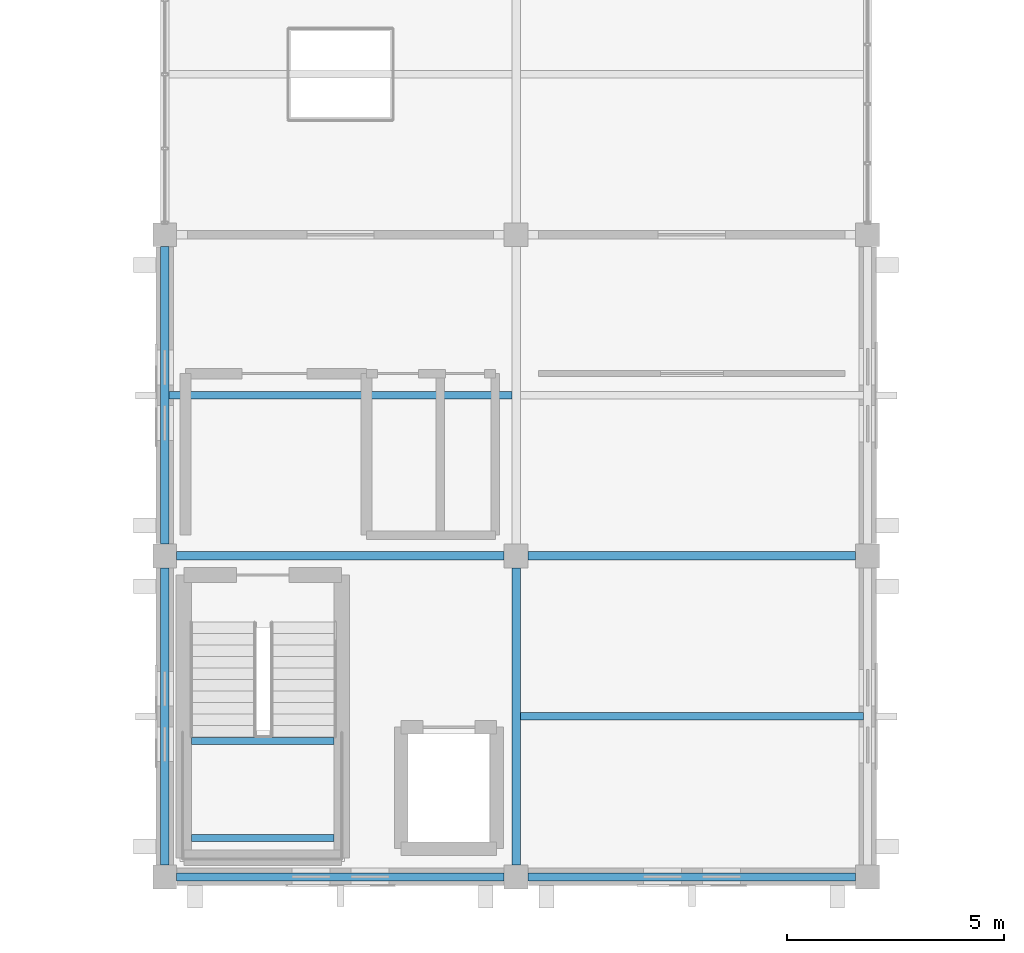
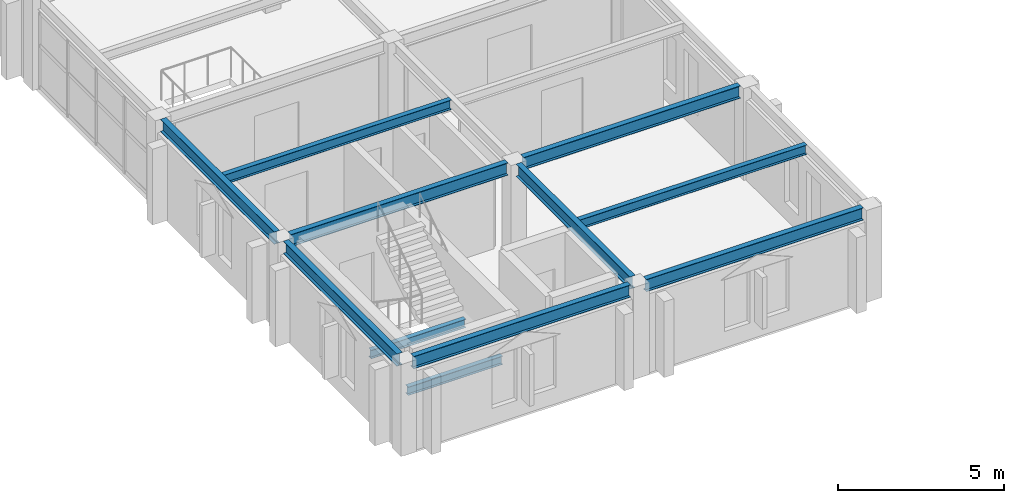
# One storey, part 7 of 93: 11 beams.
"""IFC4 building model written with IfcOpenShell, lengths in metres."""

import ifcopenshell
import ifcopenshell.guid

model = None  # the IFC model being written
_history = None  # IfcOwnerHistory: only IFC2X3 demands one
_inside = {}  # id of a spatial element -> (the spatial element, [elements in it])
_under = {}  # id of a project, library or spatial element -> (it, [spatial elements below it])
_declared = {}  # id of a project -> (the project, [libraries it declares])
_typed = {}  # id of a type object -> (the type object, [elements of that type])
_made_of = {}  # id of a material, layer set ... -> (it, [elements and type objects made of it])


def new_model(schema):
    """Start an empty IFC model of exactly this schema.

    Asked for "IFC4X3", IfcOpenShell would pick the latest addendum, in which some entities
    have other attributes; the version numbers below select the first issue.
    IFC2X3 requires an IfcOwnerHistory on every rooted entity: one is made here for all.
    """
    global model, _history
    if schema == "IFC4X3":
        model = ifcopenshell.file(schema_version=(4, 3, 0, 0))
    else:
        model = ifcopenshell.file(schema=schema)
    _inside.clear()
    _under.clear()
    _declared.clear()
    _typed.clear()
    _made_of.clear()
    _history = None
    if model.schema == "IFC2X3":
        org = make("IfcOrganization", Name="unknown")
        user = make(
            "IfcPersonAndOrganization",
            ThePerson=make("IfcPerson", FamilyName="unknown"),
            TheOrganization=org,
        )
        app = make(
            "IfcApplication",
            ApplicationDeveloper=org,
            Version="unknown",
            ApplicationFullName="unknown",
            ApplicationIdentifier="unknown",
        )
        _history = make(
            "IfcOwnerHistory",
            OwningUser=user,
            OwningApplication=app,
            ChangeAction="ADDED",
            CreationDate=0,
        )
    return model


def make(cls, **values):
    """One entity of the class cls with the attributes given. An attribute that is None is left unset."""
    return model.create_entity(
        cls, **{name: value for name, value in values.items() if value is not None}
    )


def rooted(cls, **values):
    """An entity with a GlobalId (a new one), such as an element, a storey or a relation."""
    return make(cls, GlobalId=ifcopenshell.guid.new(), OwnerHistory=_history, **values)


def si_unit(unit_type, name, prefix=None):
    """IfcSIUnit, for example si_unit("LENGTHUNIT", "METRE", prefix="MILLI")."""
    return make("IfcSIUnit", UnitType=unit_type, Prefix=prefix, Name=name)


def assignment(units):
    """IfcUnitAssignment: the units of a project."""
    return None if units is None else make("IfcUnitAssignment", Units=units)


def point(xyz):
    """IfcCartesianPoint."""
    return None if xyz is None else make("IfcCartesianPoint", Coordinates=xyz)


def direction(xyz):
    """IfcDirection."""
    return None if xyz is None else make("IfcDirection", DirectionRatios=xyz)


def frame(location, z_axis=None, x_axis=None):
    """IfcAxis2Placement3D, a coordinate frame: its origin and axes. An axis left out is left unset."""
    return make(
        "IfcAxis2Placement3D",
        Location=point(location),
        Axis=direction(z_axis),
        RefDirection=direction(x_axis),
    )


def frame_2d(location, x_axis=None):
    """IfcAxis2Placement2D, a coordinate frame in the plane: its origin and x axis."""
    return make(
        "IfcAxis2Placement2D", Location=point(location), RefDirection=direction(x_axis)
    )


def origin():
    """The frame at (0, 0, 0) with its axes left unset."""
    return frame((0.0, 0.0, 0.0))


def origin_2d():
    """The frame at (0, 0) in the plane with its x axis left unset."""
    return frame_2d((0.0, 0.0))


def place(relative_to, where):
    """IfcLocalPlacement: puts the frame where relative to a parent placement (None: the world)."""
    return make(
        "IfcLocalPlacement", PlacementRelTo=relative_to, RelativePlacement=where
    )


def context(
    kind, dimensions, precision=None, world=None, true_north=None, identifier=None
):
    """IfcGeometricRepresentationContext, for example the 3D "Model" context."""
    return make(
        "IfcGeometricRepresentationContext",
        ContextIdentifier=identifier,
        ContextType=kind,
        CoordinateSpaceDimension=dimensions,
        Precision=precision,
        WorldCoordinateSystem=world,
        TrueNorth=true_north,
    )


def subcontext(parent, identifier, kind, view, scale=None):
    """IfcGeometricRepresentationSubContext, for example "Body" below "Model"."""
    return make(
        "IfcGeometricRepresentationSubContext",
        ContextIdentifier=identifier,
        ContextType=kind,
        ParentContext=parent,
        TargetScale=scale,
        TargetView=view,
    )


def project(units=None, contexts=None):
    """IfcProject with its units and contexts."""
    return rooted(
        "IfcProject",
        Name="project",
        RepresentationContexts=contexts,
        UnitsInContext=assignment(units),
    )


def spatial(cls, under=None, at=None, **own):
    """A site, building, storey or space (cls), placed at a placement, below another one or the project."""
    s = rooted(cls, ObjectPlacement=at, **own)
    if under is not None:
        _under.setdefault(under.id(), (under, []))[1].append(s)
    return s


def profile(cls, at=None, kind="AREA", **sizes):
    """A parametric profile (cls). Its sizes go by their IFC names, for example OverallWidth=200.0."""
    return make(cls, ProfileType=kind, Position=at, **sizes)


def i_section(**sizes):
    """IfcIShapeProfileDef."""
    return profile("IfcIShapeProfileDef", **sizes)


def extrude(swept, where, along, depth):
    """IfcExtrudedAreaSolid: the profile swept, set in the frame where, extruded along a direction by depth."""
    return make(
        "IfcExtrudedAreaSolid",
        SweptArea=swept,
        Position=where,
        ExtrudedDirection=direction(along),
        Depth=depth,
    )


def shape(context_of_items, identifier, shape_type, items):
    """IfcShapeRepresentation: the items that make up one representation, for example the "Body"."""
    return make(
        "IfcShapeRepresentation",
        ContextOfItems=context_of_items,
        RepresentationIdentifier=identifier,
        RepresentationType=shape_type,
        Items=items,
    )


def material(Name=None, Category=None):
    """IfcMaterial."""
    return make("IfcMaterial", Name=Name, Category=Category)


def material_profile(
    of_material, cross_section, Name=None, Category=None, Priority=None
):
    """IfcMaterialProfile: a cross section and its material."""
    return make(
        "IfcMaterialProfile",
        Name=Name,
        Material=of_material,
        Profile=cross_section,
        Priority=Priority,
        Category=Category,
    )


def profile_set(profiles, Name=None, composite=None):
    """IfcMaterialProfileSet."""
    return make(
        "IfcMaterialProfileSet",
        Name=Name,
        MaterialProfiles=profiles,
        CompositeProfile=composite,
    )


def made_of(thing, what):
    """Note that an element or type object is made of a material, layer set ...; save() writes the relation."""
    if what is not None:
        _made_of.setdefault(what.id(), (what, []))[1].append(thing)
    return thing


def type_object(cls, material=None, **own):
    """A type object (cls), such as IfcWallType, which elements share."""
    return made_of(rooted(cls, **own), material)


def element(
    cls,
    number,
    at=None,
    inside=None,
    cuts=None,
    type_object=None,
    material=None,
    context=None,
    identifier="Body",
    shape_type=None,
    held_by="IfcProductDefinitionShape",
    body=None,
    shapes=None,
    **own,
):
    """One element of the class cls, such as IfcWall. Its Tag is "e" and its number.

    at: its placement. inside: the storey or other place that contains it. cuts: it is an
    opening in that element (IfcRelVoidsElement). A single representation is given by context,
    identifier, shape_type and body (its items); several are given by shapes. held_by: the class
    of the entity that holds the representations. save() writes the other relations.
    """
    e = rooted(cls, Tag="e%d" % number, ObjectPlacement=at, **own)
    if body is not None:
        shapes = [shape(context, identifier, shape_type, body)]
    if shapes is not None:
        e.Representation = make(held_by, Representations=shapes)
    if inside is not None:
        _inside.setdefault(inside.id(), (inside, []))[1].append(e)
    if cuts is not None:
        rooted(
            "IfcRelVoidsElement", RelatingBuildingElement=cuts, RelatedOpeningElement=e
        )
    if type_object is not None:
        _typed.setdefault(type_object.id(), (type_object, []))[1].append(e)
    return made_of(e, material)


def aggregate(whole, parts):
    """IfcRelAggregates: a whole, such as a stair, and the parts it consists of."""
    return rooted("IfcRelAggregates", RelatingObject=whole, RelatedObjects=parts)


def save(model, path):
    """Write the relations noted so far, then the file.

    IfcRelAggregates (storeys below a building ...), IfcRelContainedInSpatialStructure (elements
    in a storey), IfcRelDefinesByType, IfcRelAssociatesMaterial and IfcRelDeclares: one each for
    every whole, place, type object, material and project.
    """
    for whole, parts in _under.values():
        aggregate(whole, parts)
    for where, things in _inside.values():
        rooted(
            "IfcRelContainedInSpatialStructure",
            RelatedElements=things,
            RelatingStructure=where,
        )
    for kind, things in _typed.values():
        rooted("IfcRelDefinesByType", RelatedObjects=things, RelatingType=kind)
    for what, things in _made_of.values():
        rooted("IfcRelAssociatesMaterial", RelatedObjects=things, RelatingMaterial=what)
    for by, libraries in _declared.values():
        rooted("IfcRelDeclares", RelatingContext=by, RelatedDefinitions=libraries)
    model.write(path)


model = new_model("IFC4")

# Units and contexts
model_context = context("Model", 3, precision=1e-05, world=origin(), true_north=direction((0.0, 1.0)))
body_context = subcontext(model_context, "Body", "Model", "MODEL_VIEW")
ifc_project = project(units=[si_unit("LENGTHUNIT", "METRE"), si_unit("AREAUNIT", "SQUARE_METRE"), si_unit("VOLUMEUNIT", "CUBIC_METRE"), si_unit("PLANEANGLEUNIT", "RADIAN"), si_unit("MASSUNIT", "GRAM", prefix="KILO")], contexts=[model_context])

# Site, building, storey
site_placement = place(None, origin())
site = spatial("IfcSite", under=ifc_project, at=site_placement, CompositionType="ELEMENT")
building_placement = place(site_placement, origin())
building = spatial("IfcBuilding", under=site, at=building_placement, Name="Cimatlan Art Gallery", CompositionType="ELEMENT")
storey_placement = place(building_placement, frame((0.0, 0.0, 13.800048828125)))
storey = spatial("IfcBuildingStorey", under=building, at=storey_placement, Name="L03", CompositionType="ELEMENT", Elevation=13.800048828125)

# Beams
ifc_material = material(Name="Steel ASTM A992 Grade 50", Category="steel")
ifc_material_profile_1 = material_profile(ifc_material, i_section(OverallWidth=0.1650390625, OverallDepth=0.31005859375, WebThickness=0.005859375, FlangeThickness=0.009765625, at=origin_2d()), Name="W12X26")
ifc_profile_set_1 = profile_set([ifc_material_profile_1], Name="Steel ASTM A992 Grade 50")
beam_type_1 = type_object("IfcBeamType", Name="BM-STL-W12X26", PredefinedType="JOIST", material=ifc_profile_set_1)
for number, where, z_axis, x_axis, name in (
    (1, (35.014892578125, 24.800048828125, 1.425048828125), (1.0, 0.0, 0.0), (0.0, 1.0, 0.0), "BM-STR-C2-L03-LH1"),
    (2, (35.014892578125, 27.030029296875, 1.425048828125), (1.0, 0.0, 0.0), (0.0, 1.0, 0.0), "BM-STR-C2-L03-LH2"),
):
    element("IfcBeam", number, at=place(storey_placement, frame(where, z_axis=z_axis, x_axis=x_axis)), inside=storey, type_object=beam_type_1, Name=name, PredefinedType="JOIST", context=body_context, shape_type="SweptSolid", body=[
        extrude(i_section(OverallWidth=0.1650390625, OverallDepth=0.31005859375, WebThickness=0.005859375, FlangeThickness=0.009765625, at=origin_2d()), origin(), (0.0, 0.0, 1.0), 3.2900390625),
    ])
ifc_material_profile_2 = material_profile(ifc_material, i_section(OverallWidth=0.1708984375, OverallDepth=0.35107421875, WebThickness=0.0068359375, FlangeThickness=0.009765625, at=origin_2d()), Name="W14X30")
ifc_profile_set_2 = profile_set([ifc_material_profile_2], Name="Steel ASTM A992 Grade 50")
beam_type_2 = type_object("IfcBeamType", Name="BM-STL-W14X30", PredefinedType="JOIST", material=ifc_profile_set_2)
for number, where, z_axis, x_axis, name in (
    (3, (34.49560546875, 35.0, 3.204345703125), (1.0, 0.0, 0.0), (0.0, 1.0, 0.0), "JST-L03-04-04"),
    (4, (42.595458984375, 27.60009765625, 3.204345703125), (1.0, 0.0, 0.0), (0.0, 1.0, 0.0), "JST-L03-05-03"),
):
    element("IfcBeam", number, at=place(storey_placement, frame(where, z_axis=z_axis, x_axis=x_axis)), inside=storey, type_object=beam_type_2, Name=name, PredefinedType="JOIST", context=body_context, shape_type="SweptSolid", body=[
        extrude(i_section(OverallWidth=0.1708984375, OverallDepth=0.35107421875, WebThickness=0.0068359375, FlangeThickness=0.009765625, at=origin_2d()), origin(), (0.0, 0.0, 1.0), 7.908935546875),
    ])
ifc_material_profile_3 = material_profile(ifc_material, i_section(OverallWidth=0.19091796875, OverallDepth=0.45703125, WebThickness=0.009033203125, FlangeThickness=0.014404296875, at=origin_2d()), Name="W18X50")
ifc_profile_set_3 = profile_set([ifc_material_profile_3], Name="Steel ASTM A992 Grade 50")
beam_type_3 = type_object("IfcBeamType", Name="BM-STL-W18X50", PredefinedType="BEAM", material=ifc_profile_set_3)
beam_1_placement = place(storey_placement, frame((34.39990234375, 24.175048828125, 3.1513671875), z_axis=(0.0, 1.0, 0.0), x_axis=(-1.0, 0.0, 0.0)))
element("IfcBeam", 5, at=beam_1_placement, inside=storey, type_object=beam_type_3, Name="BM-Y-L03-04-03", PredefinedType="BEAM", context=body_context, shape_type="SweptSolid", body=[
    extrude(i_section(OverallWidth=0.19091796875, OverallDepth=0.45703125, WebThickness=0.009033203125, FlangeThickness=0.014404296875, at=origin_2d()), origin(), (0.0, 0.0, 1.0), 6.849853515625),
])
beam_2_placement = place(storey_placement, frame((34.39990234375, 31.574951171875, 3.1513671875), z_axis=(0.0, 1.0, 0.0), x_axis=(-1.0, 0.0, 0.0)))
element("IfcBeam", 6, at=beam_2_placement, inside=storey, type_object=beam_type_3, Name="BM-Y-L03-04-04", PredefinedType="BEAM", context=body_context, shape_type="SweptSolid", body=[
    extrude(i_section(OverallWidth=0.19091796875, OverallDepth=0.45703125, WebThickness=0.009033203125, FlangeThickness=0.014404296875, at=origin_2d()), origin(), (0.0, 0.0, 1.0), 6.85009765625),
])
beam_3_placement = place(storey_placement, frame((42.5, 24.175048828125, 3.1513671875), z_axis=(0.0, 1.0, 0.0), x_axis=(-1.0, 0.0, 0.0)))
element("IfcBeam", 7, at=beam_3_placement, inside=storey, type_object=beam_type_3, Name="BM-Y-L03-05-03", PredefinedType="BEAM", context=body_context, shape_type="SweptSolid", body=[
    extrude(i_section(OverallWidth=0.19091796875, OverallDepth=0.45703125, WebThickness=0.009033203125, FlangeThickness=0.014404296875, at=origin_2d()), origin(), (0.0, 0.0, 1.0), 6.849853515625),
])
for number, where, z_axis, x_axis, name in (
    (8, (34.675048828125, 23.89990234375, 3.1513671875), (1.0, 0.0, 0.0), (0.0, 1.0, 0.0), "BM-X-L03-04-03"),
    (9, (34.675048828125, 31.300048828125, 3.1513671875), (1.0, 0.0, 0.0), (0.0, 1.0, 0.0), "BM-X-L03-04-04"),
    (10, (42.77490234375, 23.89990234375, 3.1513671875), (1.0, 0.0, 0.0), (0.0, 1.0, 0.0), "BM-X-L03-05-03"),
    (11, (42.77490234375, 31.300048828125, 3.1513671875), (1.0, 0.0, 0.0), (0.0, 1.0, 0.0), "BM-X-L03-05-04"),
):
    element("IfcBeam", number, at=place(storey_placement, frame(where, z_axis=z_axis, x_axis=x_axis)), inside=storey, type_object=beam_type_3, Name=name, PredefinedType="BEAM", context=body_context, shape_type="SweptSolid", body=[
        extrude(i_section(OverallWidth=0.19091796875, OverallDepth=0.45703125, WebThickness=0.009033203125, FlangeThickness=0.014404296875, at=origin_2d()), origin(), (0.0, 0.0, 1.0), 7.550048828125),
    ])

save(model, "model.ifc")
